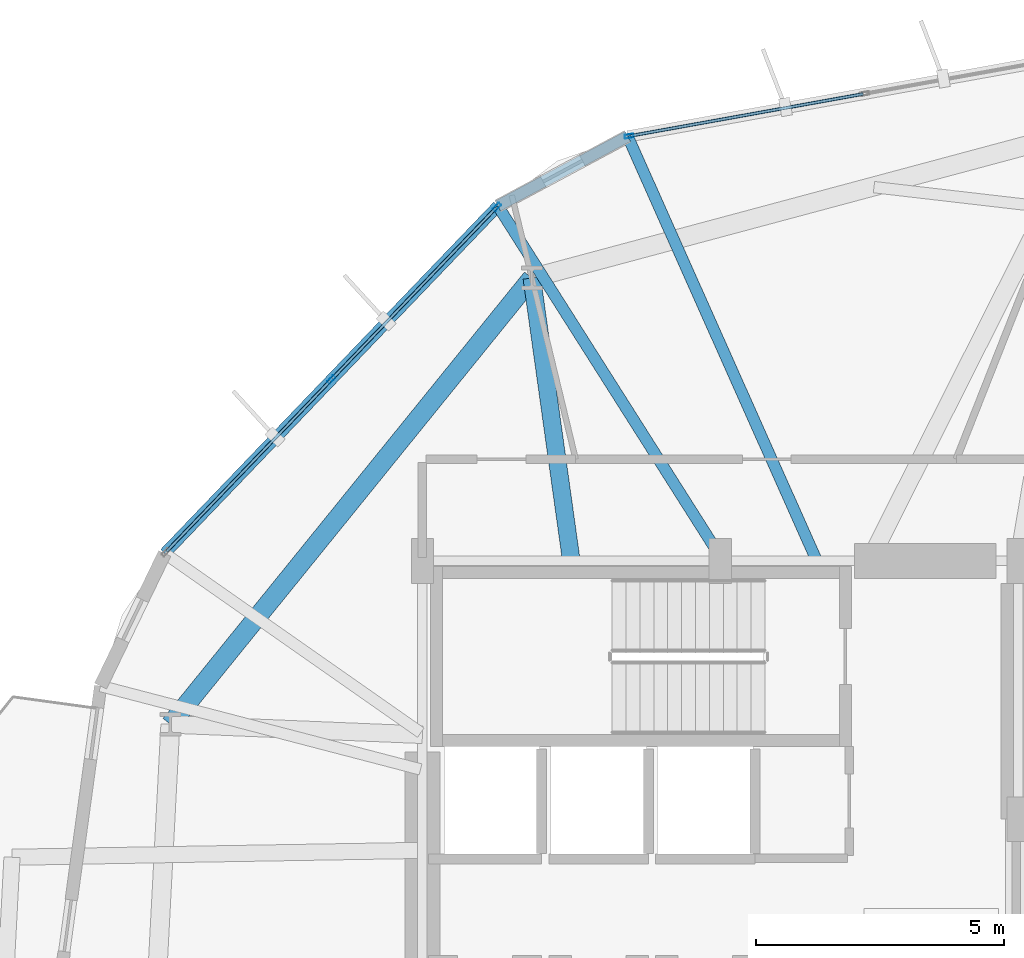
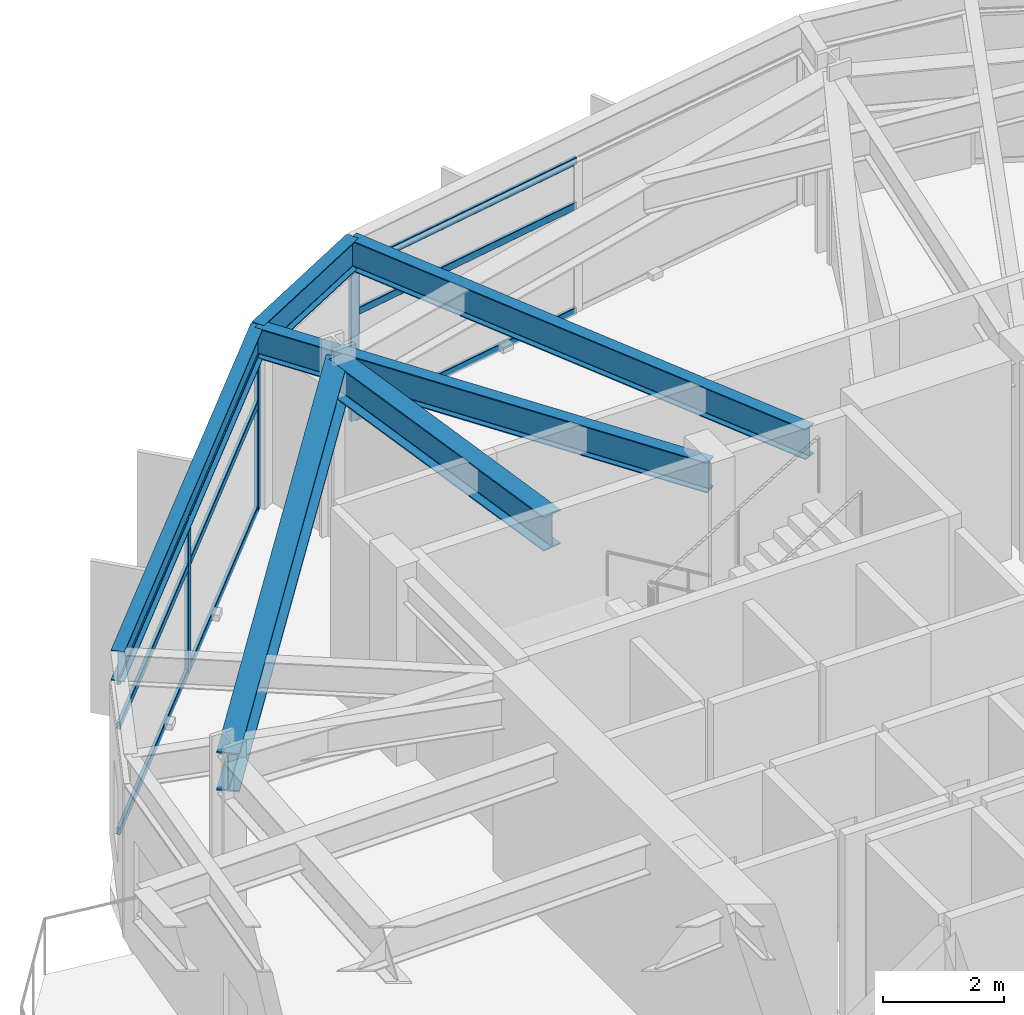
# One storey, part 12 of 22: 12 members, 6 beams, 2 elements without a shape of their own.
"""IFC4 building model written with IfcOpenShell, lengths in metres."""

from ifc_helpers import new_model, si_unit, direction, frame, origin, origin_2d, place, context, subcontext, project, spatial, hollow_rectangle, i_section, extrude, material, layer, layer_set, material_profile, profile_set, type_object, element, aggregate, save


model = new_model("IFC4")

# Units and contexts
model_context = context("Model", 3, precision=1e-05, world=origin(), true_north=direction((0.0, 1.0)))
body_context = subcontext(model_context, "Body", "Model", "MODEL_VIEW")
ifc_project = project(units=[si_unit("LENGTHUNIT", "METRE"), si_unit("AREAUNIT", "SQUARE_METRE"), si_unit("VOLUMEUNIT", "CUBIC_METRE"), si_unit("PLANEANGLEUNIT", "RADIAN"), si_unit("MASSUNIT", "GRAM", prefix="KILO")], contexts=[model_context])

# Site, building, storey
site_placement = place(None, origin())
site = spatial("IfcSite", under=ifc_project, at=site_placement, CompositionType="ELEMENT")
building_placement = place(site_placement, origin())
building = spatial("IfcBuilding", under=site, at=building_placement, Name="Soratama Intermodal Tower", CompositionType="ELEMENT")
storey_placement = place(building_placement, frame((0.0, 0.0, 66.60009765625)))
storey = spatial("IfcBuildingStorey", under=building, at=storey_placement, Name="L15", CompositionType="ELEMENT", Elevation=66.60009765625)

# Beams
ifc_material_1 = material(Name="Structural steel ASTM A992 Grade 50", Category="steel")
ifc_material_profile_1 = material_profile(ifc_material_1, i_section(OverallWidth=0.35498046875, OverallDepth=0.695068359375, WebThickness=0.015380859375, FlangeThickness=0.02490234375, FilletRadius=0.01611328125, at=origin_2d()), Name="W27X146")
ifc_profile_set_1 = profile_set([ifc_material_profile_1], Name="Structural steel ASTM A992 Grade 50")
beam_type_1 = type_object("IfcBeamType", Name="BM-RING-W27X146", PredefinedType="BEAM", material=ifc_profile_set_1)
beam_1_placement = place(storey_placement, frame((35.60009765625, 35.0, 3.352294921875), z_axis=(-0.138332473065, 0.990385847484, 0.0), x_axis=(-0.990385847484, -0.138332473065, 0.0)))
element("IfcBeam", 1, at=beam_1_placement, inside=storey, type_object=beam_type_1, Name="BM-L15-RAD-04", PredefinedType="BEAM", context=body_context, shape_type="SweptSolid", body=[
    extrude(i_section(OverallWidth=0.35498046875, OverallDepth=0.695068359375, WebThickness=0.015380859375, FlangeThickness=0.02490234375, FilletRadius=0.01611328125, at=origin_2d()), origin(), (0.0, 0.0, 1.0), 5.75537109375),
])
ifc_material_2 = material(Name="Structural steel ASTM A992 Grade 50", Category="steel")
ifc_material_profile_2 = material_profile(ifc_material_2, i_section(OverallWidth=0.382080078125, OverallDepth=0.779052734375, WebThickness=0.01806640625, FlangeThickness=0.030029296875, FilletRadius=0.01806640625, at=origin_2d()), Name="W30X191")
ifc_profile_set_2 = profile_set([ifc_material_profile_2], Name="Structural steel ASTM A992 Grade 50")
beam_type_2 = type_object("IfcBeamType", Name="BM-RING-W30X191", PredefinedType="BEAM", material=ifc_profile_set_2)
beam_2_placement = place(storey_placement, frame((34.803955078125, 40.699951171875, 3.310302734375), z_axis=(-0.629334198857, -0.777134779912, 0.0), x_axis=(0.777134779912, -0.629334198857, 0.0)))
element("IfcBeam", 2, at=beam_2_placement, inside=storey, type_object=beam_type_2, Name="BM-L15-RING-04", PredefinedType="BEAM", context=body_context, shape_type="SweptSolid", body=[
    extrude(i_section(OverallWidth=0.382080078125, OverallDepth=0.779052734375, WebThickness=0.01806640625, FlangeThickness=0.030029296875, FilletRadius=0.01806640625, at=origin_2d()), origin(), (0.0, 0.0, 1.0), 11.5693359375),
])
ifc_material_3 = material(Name="Structural steel ASTM A992 Grade 50", Category="steel")
ifc_material_profile_3 = material_profile(ifc_material_3, i_section(OverallWidth=0.22900390625, OverallDepth=0.612060546875, WebThickness=0.011962890625, FlangeThickness=0.01953125, FilletRadius=0.012939453125, at=origin_2d()), Name="W24X84")
ifc_profile_set_3 = profile_set([ifc_material_profile_3], Name="Structural steel ASTM A992 Grade 50")
beam_type_3 = type_object("IfcBeamType", Name="BM-SPN-W24X84", PredefinedType="SPANDREL", material=ifc_profile_set_3)
beam_3_placement = place(storey_placement, frame((36.735107421875, 43.552978515625, 3.393798828125), z_axis=(-0.881309887605, -0.472538762442, 0.0), x_axis=(0.472538762442, -0.881309887605, 0.0)))
element("IfcBeam", 3, at=beam_3_placement, inside=storey, type_object=beam_type_3, Name="BS-L15-CRN03", PredefinedType="SPANDREL", context=body_context, shape_type="SweptSolid", body=[
    extrude(i_section(OverallWidth=0.22900390625, OverallDepth=0.612060546875, WebThickness=0.011962890625, FlangeThickness=0.01953125, FilletRadius=0.012939453125, at=origin_2d()), origin(), (0.0, 0.0, 1.0), 2.96728515625),
])
beam_4_placement = place(storey_placement, frame((34.1201171875, 42.15087890625, 3.393798828125), z_axis=(-0.69217380253, -0.721730855022, 0.0), x_axis=(0.721730855022, -0.69217380253, 0.0)))
element("IfcBeam", 4, at=beam_4_placement, inside=storey, type_object=beam_type_3, Name="BS-L15-F04", PredefinedType="SPANDREL", context=body_context, shape_type="SweptSolid", body=[
    extrude(i_section(OverallWidth=0.22900390625, OverallDepth=0.612060546875, WebThickness=0.011962890625, FlangeThickness=0.01953125, FilletRadius=0.012939453125, at=origin_2d()), origin(), (0.0, 0.0, 1.0), 9.697265625),
])
ifc_material_4 = material(Name="Structural steel ASTM A992 Grade 50", Category="steel")
ifc_material_profile_4 = material_profile(ifc_material_4, i_section(OverallWidth=0.22900390625, OverallDepth=0.612060546875, WebThickness=0.011962890625, FlangeThickness=0.01953125, FilletRadius=0.012939453125, at=origin_2d()), Name="W24X84")
ifc_profile_set_4 = profile_set([ifc_material_profile_4], Name="Structural steel ASTM A992 Grade 50")
beam_type_4 = type_object("IfcBeamType", Name="BM-TIE-W24X84", PredefinedType="BEAM", material=ifc_profile_set_4)
beam_5_placement = place(storey_placement, frame((40.529052734375, 35.037109375, 3.393798828125), z_axis=(-0.406954707953, 0.913448337715, 0.0), x_axis=(-0.913448337715, -0.406954707953, 0.0)))
element("IfcBeam", 5, at=beam_5_placement, inside=storey, type_object=beam_type_4, Name="BM-L15-TIE1-03", PredefinedType="BEAM", context=body_context, shape_type="SweptSolid", body=[
    extrude(i_section(OverallWidth=0.22900390625, OverallDepth=0.612060546875, WebThickness=0.011962890625, FlangeThickness=0.01953125, FilletRadius=0.012939453125, at=origin_2d()), origin(), (0.0, 0.0, 1.0), 9.32275390625),
])
beam_6_placement = place(storey_placement, frame((38.635009765625, 35.033935546875, 3.393798828125), z_axis=(-0.535686631264, 0.844416859783, 0.0), x_axis=(-0.844416859783, -0.535686631264, 0.0)))
element("IfcBeam", 6, at=beam_6_placement, inside=storey, type_object=beam_type_4, Name="BM-L15-TIE0-04", PredefinedType="BEAM", context=body_context, shape_type="SweptSolid", body=[
    extrude(i_section(OverallWidth=0.22900390625, OverallDepth=0.612060546875, WebThickness=0.011962890625, FlangeThickness=0.01953125, FilletRadius=0.012939453125, at=origin_2d()), origin(), (0.0, 0.0, 1.0), 8.42822265625),
])

# Curtain wall, member
ifc_material_5 = material(Name="Double-glazed aluminium curtain wall", Category="aluminium")
ifc_layer = layer(ifc_material_5, 0.159912109375)
ifc_layer_set = layer_set([ifc_layer], Name="Double-glazed aluminium curtain wall")
curtain_wall_type = type_object("IfcCurtainWallType", Name="CW-SYS-2", PredefinedType="NOTDEFINED", material=ifc_layer_set)
curtain_wall_1_placement = place(storey_placement, origin())
curtain_wall_1 = element("IfcCurtainWall", 7, at=curtain_wall_1_placement, inside=storey, type_object=curtain_wall_type, Name="L15 Faceted Curtain Wall F03", PredefinedType="NOTDEFINED")
ifc_material_6 = material(Name="Anodised aluminium AA 6063-T6", Category="aluminium")
ifc_material_profile_5 = material_profile(ifc_material_6, hollow_rectangle(XDim=0.074951171875, YDim=0.179931640625, WallThickness=0.006103515625, InnerFilletRadius=0.006103515625, OuterFilletRadius=0.011962890625, at=origin_2d()), Name="CWM180X75X6")
ifc_profile_set_5 = profile_set([ifc_material_profile_5], Name="Anodised aluminium AA 6063-T6")
member_type_1 = type_object("IfcMemberType", Name="MT-CWM-2", PredefinedType="MULLION", material=ifc_profile_set_5)
member_1_placement = place(storey_placement, frame((36.764404296875, 43.55859375, 0.0), z_axis=(0.0, 0.0, 1.0), x_axis=(0.177078488513, -0.984196732826, 0.0)))
member_1 = element("IfcMember", 8, at=member_1_placement, type_object=member_type_1, Name="CW-2 mullion 3", PredefinedType="MULLION", context=body_context, shape_type="SweptSolid", body=[
    extrude(hollow_rectangle(XDim=0.074951171875, YDim=0.179931640625, WallThickness=0.006103515625, InnerFilletRadius=0.006103515625, OuterFilletRadius=0.011962890625, at=origin_2d()), origin(), (0.0, 0.0, 1.0), 3.078857421875),
])

# Curtain wall, members
curtain_wall_2_placement = place(storey_placement, origin())
curtain_wall_2 = element("IfcCurtainWall", 9, at=curtain_wall_2_placement, inside=storey, type_object=curtain_wall_type, Name="L15 Faceted Curtain Wall F04", PredefinedType="NOTDEFINED")
member_2_placement = place(storey_placement, frame((34.099609375, 42.129638671875, 0.0), z_axis=(0.0, 0.0, 1.0), x_axis=(0.721758943781, -0.692144513142, 0.0)))
member_2 = element("IfcMember", 10, at=member_2_placement, type_object=member_type_1, Name="CW-2 mullion 1", PredefinedType="MULLION", context=body_context, shape_type="SweptSolid", body=[
    extrude(hollow_rectangle(XDim=0.074951171875, YDim=0.179931640625, WallThickness=0.006103515625, InnerFilletRadius=0.006103515625, OuterFilletRadius=0.011962890625, at=origin_2d()), origin(), (0.0, 0.0, 1.0), 3.078857421875),
])
member_3_placement = place(storey_placement, frame((30.76416015625, 38.651611328125, 0.0), z_axis=(0.0, 0.0, 1.0), x_axis=(0.721758943781, -0.692144513142, 0.0)))
member_3 = element("IfcMember", 11, at=member_3_placement, type_object=member_type_1, Name="CW-2 mullion 2", PredefinedType="MULLION", context=body_context, shape_type="SweptSolid", body=[
    extrude(hollow_rectangle(XDim=0.074951171875, YDim=0.179931640625, WallThickness=0.006103515625, InnerFilletRadius=0.006103515625, OuterFilletRadius=0.011962890625, at=origin_2d()), origin(), (0.0, 0.0, 1.0), 3.078857421875),
])

# Member
ifc_material_7 = material(Name="Anodised aluminium AA 6063-T6", Category="aluminium")
ifc_material_profile_6 = material_profile(ifc_material_7, hollow_rectangle(XDim=0.06494140625, YDim=0.14990234375, WallThickness=0.0048828125, InnerFilletRadius=0.0048828125, OuterFilletRadius=0.010009765625, at=origin_2d()), Name="CWT150X65X5")
ifc_profile_set_6 = profile_set([ifc_material_profile_6], Name="Anodised aluminium AA 6063-T6")
member_type_2 = type_object("IfcMemberType", Name="TT-CWT-1", PredefinedType="USERDEFINED", material=ifc_profile_set_6)
member_4_placement = place(storey_placement, frame((41.477783203125, 44.40673828125, 0.02978515625), z_axis=(-0.984194949376, -0.177088400586, 0.0), x_axis=(0.177088400586, -0.984194949376, 0.0)))
member_4 = element("IfcMember", 12, at=member_4_placement, type_object=member_type_2, Name="CW-2 transom 2.1", ObjectType="TRANSOM", PredefinedType="USERDEFINED", context=body_context, shape_type="SweptSolid", body=[
    extrude(hollow_rectangle(XDim=0.06494140625, YDim=0.14990234375, WallThickness=0.0048828125, InnerFilletRadius=0.0048828125, OuterFilletRadius=0.010009765625, at=origin_2d()), origin(), (0.0, 0.0, 1.0), 4.759033203125),
])

member_5_placement = place(storey_placement, frame((41.477783203125, 44.40673828125, 2.14990234375), z_axis=(-0.984194949376, -0.177088400586, 0.0), x_axis=(0.177088400586, -0.984194949376, 0.0)))
member_5 = element("IfcMember", 13, at=member_5_placement, type_object=member_type_2, Name="CW-2 transom 2.2", ObjectType="TRANSOM", PredefinedType="USERDEFINED", context=body_context, shape_type="SweptSolid", body=[
    extrude(hollow_rectangle(XDim=0.06494140625, YDim=0.14990234375, WallThickness=0.0048828125, InnerFilletRadius=0.0048828125, OuterFilletRadius=0.010009765625, at=origin_2d()), origin(), (0.0, 0.0, 1.0), 4.759033203125),
])

member_6_placement = place(storey_placement, frame((41.477783203125, 44.40673828125, 3.048828125), z_axis=(-0.984194949376, -0.177088400586, 0.0), x_axis=(0.177088400586, -0.984194949376, 0.0)))
member_6 = element("IfcMember", 14, at=member_6_placement, type_object=member_type_2, Name="CW-2 transom 2.3", ObjectType="TRANSOM", PredefinedType="USERDEFINED", context=body_context, shape_type="SweptSolid", body=[
    extrude(hollow_rectangle(XDim=0.06494140625, YDim=0.14990234375, WallThickness=0.0048828125, InnerFilletRadius=0.0048828125, OuterFilletRadius=0.010009765625, at=origin_2d()), origin(), (0.0, 0.0, 1.0), 4.759033203125),
])

aggregate(curtain_wall_1, [member_1, member_4, member_5, member_6])

member_7_placement = place(storey_placement, frame((34.078857421875, 42.108154296875, 0.02978515625), z_axis=(-0.69215156725, -0.721752179043, 0.0), x_axis=(0.721752179043, -0.69215156725, 0.0)))
member_7 = element("IfcMember", 15, at=member_7_placement, type_object=member_type_2, Name="CW-2 transom 1.1", ObjectType="TRANSOM", PredefinedType="USERDEFINED", context=body_context, shape_type="SweptSolid", body=[
    extrude(hollow_rectangle(XDim=0.06494140625, YDim=0.14990234375, WallThickness=0.0048828125, InnerFilletRadius=0.0048828125, OuterFilletRadius=0.010009765625, at=origin_2d()), origin(), (0.0, 0.0, 1.0), 4.759033203125),
])

member_8_placement = place(storey_placement, frame((34.078857421875, 42.108154296875, 2.14990234375), z_axis=(-0.69215156725, -0.721752179043, 0.0), x_axis=(0.721752179043, -0.69215156725, 0.0)))
member_8 = element("IfcMember", 16, at=member_8_placement, type_object=member_type_2, Name="CW-2 transom 1.2", ObjectType="TRANSOM", PredefinedType="USERDEFINED", context=body_context, shape_type="SweptSolid", body=[
    extrude(hollow_rectangle(XDim=0.06494140625, YDim=0.14990234375, WallThickness=0.0048828125, InnerFilletRadius=0.0048828125, OuterFilletRadius=0.010009765625, at=origin_2d()), origin(), (0.0, 0.0, 1.0), 4.759033203125),
])

member_9_placement = place(storey_placement, frame((34.078857421875, 42.108154296875, 3.048828125), z_axis=(-0.69215156725, -0.721752179043, 0.0), x_axis=(0.721752179043, -0.69215156725, 0.0)))
member_9 = element("IfcMember", 17, at=member_9_placement, type_object=member_type_2, Name="CW-2 transom 1.3", ObjectType="TRANSOM", PredefinedType="USERDEFINED", context=body_context, shape_type="SweptSolid", body=[
    extrude(hollow_rectangle(XDim=0.06494140625, YDim=0.14990234375, WallThickness=0.0048828125, InnerFilletRadius=0.0048828125, OuterFilletRadius=0.010009765625, at=origin_2d()), origin(), (0.0, 0.0, 1.0), 4.759033203125),
])

member_10_placement = place(storey_placement, frame((30.743408203125, 38.6298828125, 0.02978515625), z_axis=(-0.69215156725, -0.721752179043, 0.0), x_axis=(0.721752179043, -0.69215156725, 0.0)))
member_10 = element("IfcMember", 18, at=member_10_placement, type_object=member_type_2, Name="CW-2 transom 2.1", ObjectType="TRANSOM", PredefinedType="USERDEFINED", context=body_context, shape_type="SweptSolid", body=[
    extrude(hollow_rectangle(XDim=0.06494140625, YDim=0.14990234375, WallThickness=0.0048828125, InnerFilletRadius=0.0048828125, OuterFilletRadius=0.010009765625, at=origin_2d()), origin(), (0.0, 0.0, 1.0), 4.759033203125),
])

member_11_placement = place(storey_placement, frame((30.743408203125, 38.6298828125, 2.14990234375), z_axis=(-0.69215156725, -0.721752179043, 0.0), x_axis=(0.721752179043, -0.69215156725, 0.0)))
member_11 = element("IfcMember", 19, at=member_11_placement, type_object=member_type_2, Name="CW-2 transom 2.2", ObjectType="TRANSOM", PredefinedType="USERDEFINED", context=body_context, shape_type="SweptSolid", body=[
    extrude(hollow_rectangle(XDim=0.06494140625, YDim=0.14990234375, WallThickness=0.0048828125, InnerFilletRadius=0.0048828125, OuterFilletRadius=0.010009765625, at=origin_2d()), origin(), (0.0, 0.0, 1.0), 4.759033203125),
])

member_12_placement = place(storey_placement, frame((30.743408203125, 38.6298828125, 3.048828125), z_axis=(-0.69215156725, -0.721752179043, 0.0), x_axis=(0.721752179043, -0.69215156725, 0.0)))
member_12 = element("IfcMember", 20, at=member_12_placement, type_object=member_type_2, Name="CW-2 transom 2.3", ObjectType="TRANSOM", PredefinedType="USERDEFINED", context=body_context, shape_type="SweptSolid", body=[
    extrude(hollow_rectangle(XDim=0.06494140625, YDim=0.14990234375, WallThickness=0.0048828125, InnerFilletRadius=0.0048828125, OuterFilletRadius=0.010009765625, at=origin_2d()), origin(), (0.0, 0.0, 1.0), 4.759033203125),
])

aggregate(curtain_wall_2, [member_2, member_3, member_7, member_8, member_9, member_10, member_11, member_12])

save(model, "model.ifc")
